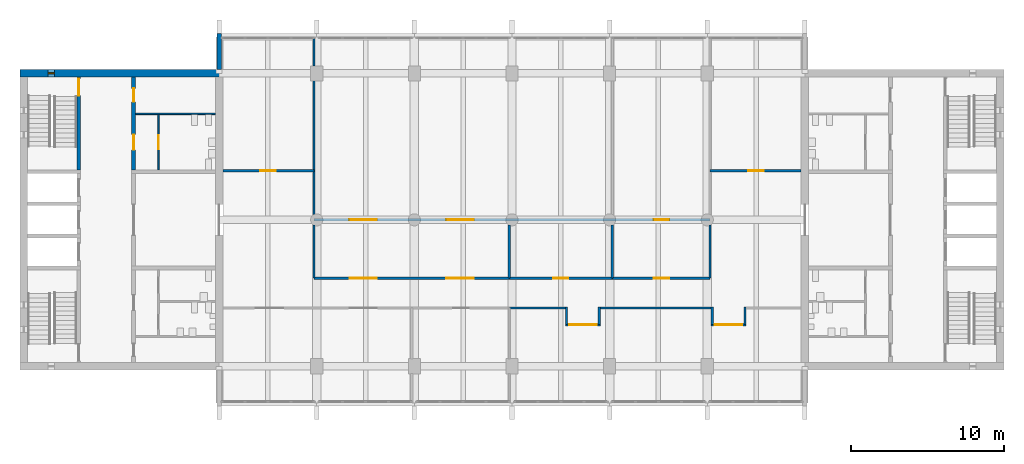
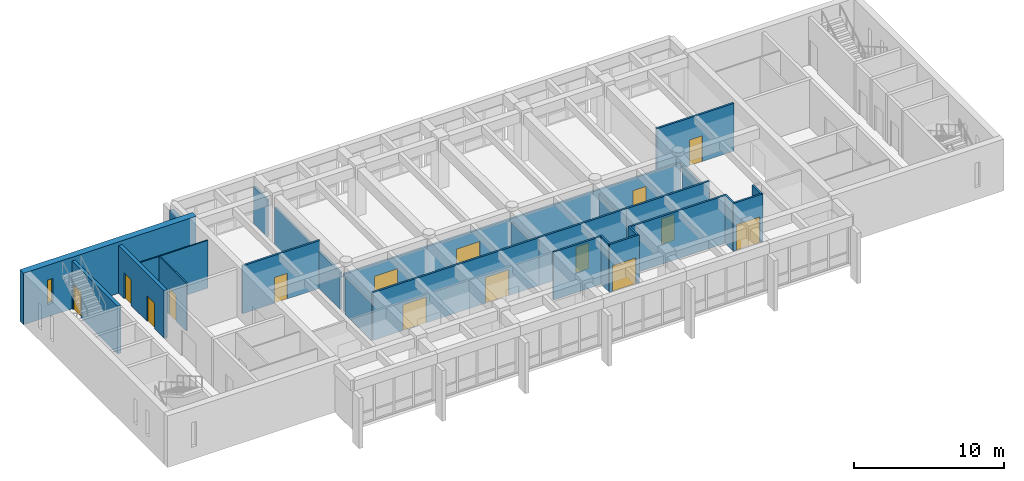
# One storey, part 10 of 15: 26 walls, 15 doors, 1 window, 16 openings.
"""IFC4 building model written with IfcOpenShell, lengths in metres."""

import ifcopenshell
import ifcopenshell.guid

model = None  # the IFC model being written
_history = None  # IfcOwnerHistory: only IFC2X3 demands one
_inside = {}  # id of a spatial element -> (the spatial element, [elements in it])
_under = {}  # id of a project, library or spatial element -> (it, [spatial elements below it])
_declared = {}  # id of a project -> (the project, [libraries it declares])
_typed = {}  # id of a type object -> (the type object, [elements of that type])
_made_of = {}  # id of a material, layer set ... -> (it, [elements and type objects made of it])


def new_model(schema):
    """Start an empty IFC model of exactly this schema.

    Asked for "IFC4X3", IfcOpenShell would pick the latest addendum, in which some entities
    have other attributes; the version numbers below select the first issue.
    IFC2X3 requires an IfcOwnerHistory on every rooted entity: one is made here for all.
    """
    global model, _history
    if schema == "IFC4X3":
        model = ifcopenshell.file(schema_version=(4, 3, 0, 0))
    else:
        model = ifcopenshell.file(schema=schema)
    _inside.clear()
    _under.clear()
    _declared.clear()
    _typed.clear()
    _made_of.clear()
    _history = None
    if model.schema == "IFC2X3":
        org = make("IfcOrganization", Name="unknown")
        user = make(
            "IfcPersonAndOrganization",
            ThePerson=make("IfcPerson", FamilyName="unknown"),
            TheOrganization=org,
        )
        app = make(
            "IfcApplication",
            ApplicationDeveloper=org,
            Version="unknown",
            ApplicationFullName="unknown",
            ApplicationIdentifier="unknown",
        )
        _history = make(
            "IfcOwnerHistory",
            OwningUser=user,
            OwningApplication=app,
            ChangeAction="ADDED",
            CreationDate=0,
        )
    return model


def make(cls, **values):
    """One entity of the class cls with the attributes given. An attribute that is None is left unset."""
    return model.create_entity(
        cls, **{name: value for name, value in values.items() if value is not None}
    )


def rooted(cls, **values):
    """An entity with a GlobalId (a new one), such as an element, a storey or a relation."""
    return make(cls, GlobalId=ifcopenshell.guid.new(), OwnerHistory=_history, **values)


def si_unit(unit_type, name, prefix=None):
    """IfcSIUnit, for example si_unit("LENGTHUNIT", "METRE", prefix="MILLI")."""
    return make("IfcSIUnit", UnitType=unit_type, Prefix=prefix, Name=name)


def assignment(units):
    """IfcUnitAssignment: the units of a project."""
    return None if units is None else make("IfcUnitAssignment", Units=units)


def point(xyz):
    """IfcCartesianPoint."""
    return None if xyz is None else make("IfcCartesianPoint", Coordinates=xyz)


def direction(xyz):
    """IfcDirection."""
    return None if xyz is None else make("IfcDirection", DirectionRatios=xyz)


def frame(location, z_axis=None, x_axis=None):
    """IfcAxis2Placement3D, a coordinate frame: its origin and axes. An axis left out is left unset."""
    return make(
        "IfcAxis2Placement3D",
        Location=point(location),
        Axis=direction(z_axis),
        RefDirection=direction(x_axis),
    )


def frame_2d(location, x_axis=None):
    """IfcAxis2Placement2D, a coordinate frame in the plane: its origin and x axis."""
    return make(
        "IfcAxis2Placement2D", Location=point(location), RefDirection=direction(x_axis)
    )


def origin():
    """The frame at (0, 0, 0) with its axes left unset."""
    return frame((0.0, 0.0, 0.0))


def place(relative_to, where):
    """IfcLocalPlacement: puts the frame where relative to a parent placement (None: the world)."""
    return make(
        "IfcLocalPlacement", PlacementRelTo=relative_to, RelativePlacement=where
    )


def context(
    kind, dimensions, precision=None, world=None, true_north=None, identifier=None
):
    """IfcGeometricRepresentationContext, for example the 3D "Model" context."""
    return make(
        "IfcGeometricRepresentationContext",
        ContextIdentifier=identifier,
        ContextType=kind,
        CoordinateSpaceDimension=dimensions,
        Precision=precision,
        WorldCoordinateSystem=world,
        TrueNorth=true_north,
    )


def subcontext(parent, identifier, kind, view, scale=None):
    """IfcGeometricRepresentationSubContext, for example "Body" below "Model"."""
    return make(
        "IfcGeometricRepresentationSubContext",
        ContextIdentifier=identifier,
        ContextType=kind,
        ParentContext=parent,
        TargetScale=scale,
        TargetView=view,
    )


def project(units=None, contexts=None):
    """IfcProject with its units and contexts."""
    return rooted(
        "IfcProject",
        Name="project",
        RepresentationContexts=contexts,
        UnitsInContext=assignment(units),
    )


def spatial(cls, under=None, at=None, **own):
    """A site, building, storey or space (cls), placed at a placement, below another one or the project."""
    s = rooted(cls, ObjectPlacement=at, **own)
    if under is not None:
        _under.setdefault(under.id(), (under, []))[1].append(s)
    return s


def profile(cls, at=None, kind="AREA", **sizes):
    """A parametric profile (cls). Its sizes go by their IFC names, for example OverallWidth=200.0."""
    return make(cls, ProfileType=kind, Position=at, **sizes)


def rectangle(**sizes):
    """IfcRectangleProfileDef."""
    return profile("IfcRectangleProfileDef", **sizes)


def extrude(swept, where, along, depth):
    """IfcExtrudedAreaSolid: the profile swept, set in the frame where, extruded along a direction by depth."""
    return make(
        "IfcExtrudedAreaSolid",
        SweptArea=swept,
        Position=where,
        ExtrudedDirection=direction(along),
        Depth=depth,
    )


def shape(context_of_items, identifier, shape_type, items):
    """IfcShapeRepresentation: the items that make up one representation, for example the "Body"."""
    return make(
        "IfcShapeRepresentation",
        ContextOfItems=context_of_items,
        RepresentationIdentifier=identifier,
        RepresentationType=shape_type,
        Items=items,
    )


def material(Name=None, Category=None):
    """IfcMaterial."""
    return make("IfcMaterial", Name=Name, Category=Category)


def layer(
    of_material, thickness, ventilated=None, Name=None, Category=None, Priority=None
):
    """IfcMaterialLayer: one layer of a wall or slab, of a material (None: an air gap)."""
    return make(
        "IfcMaterialLayer",
        Material=of_material,
        LayerThickness=thickness,
        IsVentilated=ventilated,
        Name=Name,
        Category=Category,
        Priority=Priority,
    )


def layer_set(layers, Name=None):
    """IfcMaterialLayerSet."""
    return make("IfcMaterialLayerSet", MaterialLayers=layers, LayerSetName=Name)


def made_of(thing, what):
    """Note that an element or type object is made of a material, layer set ...; save() writes the relation."""
    if what is not None:
        _made_of.setdefault(what.id(), (what, []))[1].append(thing)
    return thing


def type_object(cls, material=None, **own):
    """A type object (cls), such as IfcWallType, which elements share."""
    return made_of(rooted(cls, **own), material)


def element(
    cls,
    number,
    at=None,
    inside=None,
    cuts=None,
    type_object=None,
    material=None,
    context=None,
    identifier="Body",
    shape_type=None,
    held_by="IfcProductDefinitionShape",
    body=None,
    shapes=None,
    **own,
):
    """One element of the class cls, such as IfcWall. Its Tag is "e" and its number.

    at: its placement. inside: the storey or other place that contains it. cuts: it is an
    opening in that element (IfcRelVoidsElement). A single representation is given by context,
    identifier, shape_type and body (its items); several are given by shapes. held_by: the class
    of the entity that holds the representations. save() writes the other relations.
    """
    e = rooted(cls, Tag="e%d" % number, ObjectPlacement=at, **own)
    if body is not None:
        shapes = [shape(context, identifier, shape_type, body)]
    if shapes is not None:
        e.Representation = make(held_by, Representations=shapes)
    if inside is not None:
        _inside.setdefault(inside.id(), (inside, []))[1].append(e)
    if cuts is not None:
        rooted(
            "IfcRelVoidsElement", RelatingBuildingElement=cuts, RelatedOpeningElement=e
        )
    if type_object is not None:
        _typed.setdefault(type_object.id(), (type_object, []))[1].append(e)
    return made_of(e, material)


def fill(opening, filler):
    """IfcRelFillsElement: the door or window that sits in an opening."""
    return rooted(
        "IfcRelFillsElement",
        RelatingOpeningElement=opening,
        RelatedBuildingElement=filler,
    )


def aggregate(whole, parts):
    """IfcRelAggregates: a whole, such as a stair, and the parts it consists of."""
    return rooted("IfcRelAggregates", RelatingObject=whole, RelatedObjects=parts)


def save(model, path):
    """Write the relations noted so far, then the file.

    IfcRelAggregates (storeys below a building ...), IfcRelContainedInSpatialStructure (elements
    in a storey), IfcRelDefinesByType, IfcRelAssociatesMaterial and IfcRelDeclares: one each for
    every whole, place, type object, material and project.
    """
    for whole, parts in _under.values():
        aggregate(whole, parts)
    for where, things in _inside.values():
        rooted(
            "IfcRelContainedInSpatialStructure",
            RelatedElements=things,
            RelatingStructure=where,
        )
    for kind, things in _typed.values():
        rooted("IfcRelDefinesByType", RelatedObjects=things, RelatingType=kind)
    for what, things in _made_of.values():
        rooted("IfcRelAssociatesMaterial", RelatedObjects=things, RelatingMaterial=what)
    for by, libraries in _declared.values():
        rooted("IfcRelDeclares", RelatingContext=by, RelatedDefinitions=libraries)
    model.write(path)


model = new_model("IFC4")

# Units and contexts
model_context = context("Model", 3, precision=1e-05, world=origin(), true_north=direction((0.0, 1.0)))
body_context = subcontext(model_context, "Body", "Model", "MODEL_VIEW")
ifc_project = project(units=[si_unit("LENGTHUNIT", "METRE"), si_unit("AREAUNIT", "SQUARE_METRE"), si_unit("VOLUMEUNIT", "CUBIC_METRE"), si_unit("PLANEANGLEUNIT", "RADIAN"), si_unit("MASSUNIT", "GRAM", prefix="KILO")], contexts=[model_context])

# Site, building, storey
site_placement = place(None, origin())
site = spatial("IfcSite", under=ifc_project, at=site_placement, CompositionType="ELEMENT")
building_placement = place(site_placement, origin())
building = spatial("IfcBuilding", under=site, at=building_placement, Name="Fogon Plaza Fire Station and Headquarters Tower", CompositionType="ELEMENT")
storey_placement = place(building_placement, frame((0.0, 0.0, 60.0)))
storey = spatial("IfcBuildingStorey", under=building, at=storey_placement, Name="L15", CompositionType="ELEMENT", Elevation=60.0)

# Wall, opening, door
ifc_material_1 = material(Name="Concrete C40", Category="concrete")
ifc_layer_1 = layer(ifc_material_1, 0.25)
ifc_layer_set_1 = layer_set([ifc_layer_1], Name="Concrete C40")
wall_type_1 = type_object("IfcWallType", Name="Core Wall RC 250", PredefinedType="SOLIDWALL", material=ifc_layer_set_1)
wall_1_placement = place(storey_placement, frame((16.39990234375, 46.47509765625, 0.0), z_axis=(0.0, 0.0, 1.0), x_axis=(0.0, 1.0, 0.0)))
wall_1 = element("IfcWall", 1, at=wall_1_placement, inside=storey, type_object=wall_type_1, Name="Core A shaft wall", PredefinedType="SOLIDWALL", context=body_context, shape_type="SweptSolid", body=[
    extrude(rectangle(XDim=6.074951171875, YDim=0.25, at=frame_2d((3.03759765625, 0.0))), origin(), (0.0, 0.0, 1.0), 3.89990234375),
])
opening_1_placement = place(wall_1_placement, frame((4.875, 0.0, 0.0)))
opening_1 = element("IfcOpeningElement", 2, at=opening_1_placement, cuts=wall_1, Name="Opening L15-D02", PredefinedType="OPENING", context=body_context, shape_type="SweptSolid", body=[
    extrude(rectangle(XDim=1.10009765625, YDim=2.10009765625, at=frame_2d((0.550048828125, 1.050048828125))), frame((0.0, 0.135009765625, 0.0), z_axis=(0.0, -1.0, 0.0), x_axis=(1.0, 0.0, 0.0)), (0.0, 0.0, 1.0), 0.27001953125),
])
ifc_material_2 = material(Name="Steel Fire Door Leaf", Category="steel")
door_type_1 = type_object("IfcDoorType", Name="Stair Door Single 1100x2100", OperationType="SINGLE_SWING_LEFT", PredefinedType="DOOR", material=ifc_material_2)
door_1_placement = place(opening_1_placement, origin())
door_1 = element("IfcDoor", 3, at=door_1_placement, inside=storey, type_object=door_type_1, Name="Stair door ST2", OperationType="SINGLE_SWING_RIGHT", OverallHeight=2.10009765625, OverallWidth=1.10009765625, PredefinedType="DOOR", context=body_context, shape_type="SweptSolid", body=[
    extrude(rectangle(XDim=1.10009765625, YDim=2.10009765625, at=frame_2d((0.550048828125, 1.050048828125))), frame((0.0, 0.02490234375, 0.0), z_axis=(0.0, -1.0, 0.0), x_axis=(1.0, 0.0, 0.0)), (0.0, 0.0, 1.0), 0.050048828125),
])
fill(opening_1, door_1)

# Wall, openings, doors
wall_2_placement = place(storey_placement, frame((20.0, 46.47509765625, 0.0), z_axis=(0.0, 0.0, 1.0), x_axis=(0.0, 1.0, 0.0)))
wall_2 = element("IfcWall", 4, at=wall_2_placement, inside=storey, type_object=wall_type_1, Name="Core A shaft wall", PredefinedType="SOLIDWALL", context=body_context, shape_type="SweptSolid", body=[
    extrude(rectangle(XDim=6.074951171875, YDim=0.25, at=frame_2d((3.03759765625, 0.0))), origin(), (0.0, 0.0, 1.0), 3.89990234375),
])
opening_2_placement = place(wall_2_placement, frame((1.3125, 0.0, 0.0)))
opening_2 = element("IfcOpeningElement", 5, at=opening_2_placement, cuts=wall_2, Name="Opening L15-D12", PredefinedType="OPENING", context=body_context, shape_type="SweptSolid", body=[
    extrude(rectangle(XDim=1.0, YDim=2.10009765625, at=frame_2d((0.5, 1.050048828125))), frame((0.0, 0.135009765625, 0.0), z_axis=(0.0, -1.0, 0.0), x_axis=(1.0, 0.0, 0.0)), (0.0, 0.0, 1.0), 0.27001953125),
])
opening_3_placement = place(wall_2_placement, frame((4.449951171875, 0.0, 0.0)))
opening_3 = element("IfcOpeningElement", 6, at=opening_3_placement, cuts=wall_2, Name="Opening L15-D14", PredefinedType="OPENING", context=body_context, shape_type="SweptSolid", body=[
    extrude(rectangle(XDim=0.89990234375, YDim=2.10009765625, at=frame_2d((0.449951171875, 1.050048828125))), frame((0.0, 0.135009765625, 0.0), z_axis=(0.0, -1.0, 0.0), x_axis=(1.0, 0.0, 0.0)), (0.0, 0.0, 1.0), 0.27001953125),
])
ifc_material_3 = material(Name="Steel Fire Door Leaf", Category="steel")
door_type_2 = type_object("IfcDoorType", Name="Riser Single 900x2100", OperationType="SINGLE_SWING_LEFT", PredefinedType="DOOR", material=ifc_material_3)
door_2_placement = place(opening_3_placement, frame((0.89990234375, 0.0, 0.0), z_axis=(0.0, 0.0, 1.0), x_axis=(-1.0, 0.0, 0.0)))
door_2 = element("IfcDoor", 7, at=door_2_placement, inside=storey, type_object=door_type_2, Name="Riser room A door", OperationType="SINGLE_SWING_LEFT", OverallHeight=2.10009765625, OverallWidth=0.89990234375, PredefinedType="DOOR", context=body_context, shape_type="SweptSolid", body=[
    extrude(rectangle(XDim=0.89990234375, YDim=2.10009765625, at=frame_2d((0.449951171875, 1.050048828125))), frame((0.0, 0.02490234375, 0.0), z_axis=(0.0, -1.0, 0.0), x_axis=(1.0, 0.0, 0.0)), (0.0, 0.0, 1.0), 0.050048828125),
])
fill(opening_3, door_2)
ifc_material_4 = material(Name="Timber fire door", Category="wood")
door_type_3 = type_object("IfcDoorType", Name="WC Lobby Single 1000x2100", OperationType="SINGLE_SWING_LEFT", PredefinedType="DOOR", material=ifc_material_4)
door_3_placement = place(opening_2_placement, frame((1.0, 0.0, 0.0), z_axis=(0.0, 0.0, 1.0), x_axis=(-1.0, 0.0, 0.0)))
door_3 = element("IfcDoor", 8, at=door_3_placement, inside=storey, type_object=door_type_3, Name="Women's WC lobby A door", OperationType="SINGLE_SWING_LEFT", OverallHeight=2.10009765625, OverallWidth=1.0, PredefinedType="DOOR", context=body_context, shape_type="SweptSolid", body=[
    extrude(rectangle(XDim=1.0, YDim=2.10009765625, at=frame_2d((0.5, 1.050048828125))), frame((0.0, 0.02490234375, 0.0), z_axis=(0.0, -1.0, 0.0), x_axis=(1.0, 0.0, 0.0)), (0.0, 0.0, 1.0), 0.050048828125),
])
fill(opening_2, door_3)

# Wall
ifc_material_5 = material(Name="Concrete C40", Category="concrete")
ifc_layer_2 = layer(ifc_material_5, 0.300048828125)
ifc_layer_set_2 = layer_set([ifc_layer_2], Name="Concrete C40")
wall_type_2 = type_object("IfcWallType", Name="Fair-faced RC Return Panel 300", PredefinedType="SOLIDWALL", material=ifc_layer_set_2)
wall_3_placement = place(storey_placement, frame((25.60009765625, 53.050048828125, 0.0), z_axis=(0.0, 0.0, 1.0), x_axis=(0.0, 1.0, 0.0)))
element("IfcWall", 9, at=wall_3_placement, inside=storey, type_object=wall_type_2, Name="Bar end return WN L15", PredefinedType="SOLIDWALL", context=body_context, shape_type="SweptSolid", body=[
    extrude(rectangle(XDim=2.349853515625, YDim=0.300048828125, at=frame_2d((1.1748046875, 0.0))), origin(), (0.0, 0.0, 1.0), 3.10009765625),
])

# Wall, opening, door
ifc_material_6 = material(Name="Blockwork", Category="masonry")
ifc_layer_3 = layer(ifc_material_6, 0.10009765625)
ifc_layer_set_3 = layer_set([ifc_layer_3], Name="Blockwork")
wall_type_3 = type_object("IfcWallType", Name="Partition Blockwork 100", PredefinedType="PARTITIONING", material=ifc_layer_set_3)
wall_4_placement = place(storey_placement, frame((21.625, 46.47509765625, 0.0), z_axis=(0.0, 0.0, 1.0), x_axis=(0.0, 1.0, 0.0)))
wall_4 = element("IfcWall", 10, at=wall_4_placement, inside=storey, type_object=wall_type_3, Name="WC block partition", PredefinedType="PARTITIONING", context=body_context, shape_type="SweptSolid", body=[
    extrude(rectangle(XDim=3.625, YDim=0.10009765625, at=frame_2d((1.8125, 0.0))), origin(), (0.0, 0.0, 1.0), 3.89990234375),
])
opening_4_placement = place(wall_4_placement, frame((1.362548828125, 0.0, 0.0)))
opening_4 = element("IfcOpeningElement", 11, at=opening_4_placement, cuts=wall_4, Name="Opening L15-D13", PredefinedType="OPENING", context=body_context, shape_type="SweptSolid", body=[
    extrude(rectangle(XDim=0.89990234375, YDim=2.10009765625, at=frame_2d((0.449951171875, 1.050048828125))), frame((0.0, 0.06005859375, 0.0), z_axis=(0.0, -1.0, 0.0), x_axis=(1.0, 0.0, 0.0)), (0.0, 0.0, 1.0), 0.1201171875),
])
ifc_material_7 = material(Name="Timber Door Leaf", Category="wood")
door_type_4 = type_object("IfcDoorType", Name="WC Single 900x2100", OperationType="SINGLE_SWING_LEFT", PredefinedType="DOOR", material=ifc_material_7)
door_4_placement = place(opening_4_placement, frame((0.89990234375, 0.0, 0.0), z_axis=(0.0, 0.0, 1.0), x_axis=(-1.0, 0.0, 0.0)))
door_4 = element("IfcDoor", 12, at=door_4_placement, inside=storey, type_object=door_type_4, Name="Women's WC A door", OperationType="SINGLE_SWING_RIGHT", OverallHeight=2.10009765625, OverallWidth=0.89990234375, PredefinedType="DOOR", context=body_context, shape_type="SweptSolid", body=[
    extrude(rectangle(XDim=0.89990234375, YDim=2.10009765625, at=frame_2d((0.449951171875, 1.050048828125))), frame((0.0, 0.02490234375, 0.0), z_axis=(0.0, -1.0, 0.0), x_axis=(1.0, 0.0, 0.0)), (0.0, 0.0, 1.0), 0.050048828125),
])
fill(opening_4, door_4)

# Wall
ifc_material_8 = material(Name="Blockwork", Category="masonry")
ifc_layer_4 = layer(ifc_material_8, 0.10009765625)
ifc_layer_set_4 = layer_set([ifc_layer_4], Name="Blockwork")
wall_type_4 = type_object("IfcWallType", Name="Riser Partition Blockwork 100", PredefinedType="PARTITIONING", material=ifc_layer_set_4)
wall_5_placement = place(storey_placement, frame((20.125, 50.14990234375, 0.0), z_axis=(0.0, 0.0, 1.0), x_axis=(1.0, 0.0, 0.0)))
element("IfcWall", 13, at=wall_5_placement, inside=storey, type_object=wall_type_4, Name="Riser room partition", PredefinedType="PARTITIONING", context=body_context, shape_type="SweptSolid", body=[
    extrude(rectangle(XDim=5.22509765625, YDim=0.10009765625, at=frame_2d((2.612548828125, 0.0))), origin(), (0.0, 0.0, 1.0), 3.89990234375),
])

# Wall, opening, window
ifc_material_9 = material(Name="Concrete C40", Category="concrete")
ifc_layer_5 = layer(ifc_material_9, 0.5)
ifc_layer_set_5 = layer_set([ifc_layer_5], Name="Concrete C40")
wall_type_5 = type_object("IfcWallType", Name="Shear wall 500 SW50", PredefinedType="SHEAR", material=ifc_layer_set_5)
wall_6_placement = place(storey_placement, frame((12.550048828125, 52.800048828125, 0.0), z_axis=(0.0, 0.0, 1.0), x_axis=(1.0, 0.0, 0.0)))
wall_6 = element("IfcWall", 14, at=wall_6_placement, inside=storey, type_object=wall_type_5, Name="wall-coreA-N-L15", PredefinedType="SHEAR", context=body_context, shape_type="SweptSolid", body=[
    extrude(rectangle(XDim=13.300048828125, YDim=0.5, at=frame_2d((6.64990234375, 0.0))), origin(), (0.0, 0.0, 1.0), 4.199951171875),
])
opening_5_placement = place(wall_6_placement, frame((1.85009765625, 0.0, 1.0)))
opening_5 = element("IfcOpeningElement", 15, at=opening_5_placement, cuts=wall_6, Name="Opening WS1", PredefinedType="OPENING", context=body_context, shape_type="SweptSolid", body=[
    extrude(rectangle(XDim=0.39990234375, YDim=2.0, at=frame_2d((0.199951171875, 1.0))), frame((0.0, 0.260009765625, 0.0), z_axis=(0.0, -1.0, 0.0), x_axis=(1.0, 0.0, 0.0)), (0.0, 0.0, 1.0), 0.52001953125),
])
ifc_material_10 = material(Name="Aluminium framed double glazing", Category="aluminium")
window_type = type_object("IfcWindowType", Name="Slit Window WS1 400x2000", PartitioningType="SINGLE_PANEL", PredefinedType="WINDOW", material=ifc_material_10)
window_placement = place(opening_5_placement, origin())
window = element("IfcWindow", 16, at=window_placement, inside=storey, type_object=window_type, Name="Slit window A6 L15", OverallHeight=2.0, OverallWidth=0.39990234375, PartitioningType="SINGLE_PANEL", PredefinedType="WINDOW", context=body_context, shape_type="SweptSolid", body=[
    extrude(rectangle(XDim=0.39990234375, YDim=2.0, at=frame_2d((0.199951171875, 1.0))), frame((0.0, 0.030029296875, 0.0), z_axis=(0.0, -1.0, 0.0), x_axis=(1.0, 0.0, 0.0)), (0.0, 0.0, 1.0), 0.06005859375),
])
fill(opening_5, window)

# Wall
ifc_material_11 = material(Name="Gypsum board on steel stud", Category="steel")
ifc_layer_6 = layer(ifc_material_11, 0.14990234375)
ifc_layer_set_6 = layer_set([ifc_layer_6], Name="Gypsum board on steel stud")
wall_type_6 = type_object("IfcWallType", Name="Tower corridor partition 150 EI 60", PredefinedType="PARTITIONING", material=ifc_layer_set_6)
wall_7_placement = place(storey_placement, frame((44.6201171875, 37.425048828125, 0.0), z_axis=(0.0, 0.0, 1.0), x_axis=(1.0, 0.0, 0.0)))
element("IfcWall", 17, at=wall_7_placement, inside=storey, type_object=wall_type_6, Name="part-L15-03", PredefinedType="PARTITIONING", context=body_context, shape_type="SweptSolid", body=[
    extrude(rectangle(XDim=3.7548828125, YDim=0.14990234375, at=frame_2d((1.87744140625, 0.0))), origin(), (0.0, 0.0, 1.0), 3.89990234375),
])

# Wall, openings, doors
wall_8_placement = place(storey_placement, frame((31.820068359375, 39.375, 0.0), z_axis=(0.0, 0.0, 1.0), x_axis=(1.0, 0.0, 0.0)))
wall_8 = element("IfcWall", 18, at=wall_8_placement, inside=storey, type_object=wall_type_6, Name="part-L15-08", PredefinedType="PARTITIONING", context=body_context, shape_type="SweptSolid", body=[
    extrude(rectangle(XDim=12.800048828125, YDim=0.14990234375, at=frame_2d((6.39990234375, 0.0))), origin(), (0.0, 0.0, 1.0), 3.89990234375),
])
opening_6_placement = place(wall_8_placement, frame((2.330078125, 0.0, 0.0)))
opening_6 = element("IfcOpeningElement", 19, at=opening_6_placement, cuts=wall_8, Name="Opening L15-D34", PredefinedType="OPENING", context=body_context, shape_type="SweptSolid", body=[
    extrude(rectangle(XDim=1.800048828125, YDim=2.10009765625, at=frame_2d((0.89990234375, 1.050048828125))), frame((0.0, 0.0849609375, 0.0), z_axis=(0.0, -1.0, 0.0), x_axis=(1.0, 0.0, 0.0)), (0.0, 0.0, 1.0), 0.169921875),
])
opening_7_placement = place(wall_8_placement, frame((8.679931640625, 0.0, 0.0)))
opening_7 = element("IfcOpeningElement", 20, at=opening_7_placement, cuts=wall_8, Name="Opening L15-D35", PredefinedType="OPENING", context=body_context, shape_type="SweptSolid", body=[
    extrude(rectangle(XDim=1.800048828125, YDim=2.10009765625, at=frame_2d((0.89990234375, 1.050048828125))), frame((0.0, 0.0849609375, 0.0), z_axis=(0.0, -1.0, 0.0), x_axis=(1.0, 0.0, 0.0)), (0.0, 0.0, 1.0), 0.169921875),
])
ifc_material_12 = material(Name="Timber fire door", Category="wood")
door_type_5 = type_object("IfcDoorType", Name="Tower fire door double 1800 EI 20", OperationType="DOUBLE_DOOR_SINGLE_SWING", PredefinedType="DOOR", material=ifc_material_12)
door_5_placement = place(opening_6_placement, origin())
door_5 = element("IfcDoor", 21, at=door_5_placement, inside=storey, type_object=door_type_5, Name="door-L15-06", OperationType="DOUBLE_DOOR_SINGLE_SWING", OverallHeight=2.10009765625, OverallWidth=1.800048828125, PredefinedType="DOOR", context=body_context, shape_type="SweptSolid", body=[
    extrude(rectangle(XDim=1.800048828125, YDim=2.10009765625, at=frame_2d((0.89990234375, 1.050048828125))), frame((0.0, 0.02490234375, 0.0), z_axis=(0.0, -1.0, 0.0), x_axis=(1.0, 0.0, 0.0)), (0.0, 0.0, 1.0), 0.050048828125),
])
fill(opening_6, door_5)
door_6_placement = place(opening_7_placement, origin())
door_6 = element("IfcDoor", 22, at=door_6_placement, inside=storey, type_object=door_type_5, Name="door-L15-07", OperationType="DOUBLE_DOOR_SINGLE_SWING", OverallHeight=2.10009765625, OverallWidth=1.800048828125, PredefinedType="DOOR", context=body_context, shape_type="SweptSolid", body=[
    extrude(rectangle(XDim=1.800048828125, YDim=2.10009765625, at=frame_2d((0.89990234375, 1.050048828125))), frame((0.0, 0.02490234375, 0.0), z_axis=(0.0, -1.0, 0.0), x_axis=(1.0, 0.0, 0.0)), (0.0, 0.0, 1.0), 0.050048828125),
])
fill(opening_7, door_6)

# Wall, opening, door
wall_9_placement = place(storey_placement, frame((44.6201171875, 39.375, 0.0), z_axis=(0.0, 0.0, 1.0), x_axis=(1.0, 0.0, 0.0)))
wall_9 = element("IfcWall", 23, at=wall_9_placement, inside=storey, type_object=wall_type_6, Name="part-L15-09", PredefinedType="PARTITIONING", context=body_context, shape_type="SweptSolid", body=[
    extrude(rectangle(XDim=6.759765625, YDim=0.14990234375, at=frame_2d((3.3798828125, 0.0))), origin(), (0.0, 0.0, 1.0), 3.89990234375),
])
opening_8_placement = place(wall_9_placement, frame((2.8798828125, 0.0, 0.0)))
opening_8 = element("IfcOpeningElement", 24, at=opening_8_placement, cuts=wall_9, Name="Opening L15-D36", PredefinedType="OPENING", context=body_context, shape_type="SweptSolid", body=[
    extrude(rectangle(XDim=1.0, YDim=2.10009765625, at=frame_2d((0.5, 1.050048828125))), frame((0.0, 0.0849609375, 0.0), z_axis=(0.0, -1.0, 0.0), x_axis=(1.0, 0.0, 0.0)), (0.0, 0.0, 1.0), 0.169921875),
])
ifc_material_13 = material(Name="Timber fire door", Category="wood")
door_type_6 = type_object("IfcDoorType", Name="Tower fire door single 1000 EI 20", OperationType="SINGLE_SWING_LEFT", PredefinedType="DOOR", material=ifc_material_13)
door_7_placement = place(opening_8_placement, origin())
door_7 = element("IfcDoor", 25, at=door_7_placement, inside=storey, type_object=door_type_6, Name="door-L15-08", OperationType="SINGLE_SWING_LEFT", OverallHeight=2.10009765625, OverallWidth=1.0, PredefinedType="DOOR", context=body_context, shape_type="SweptSolid", body=[
    extrude(rectangle(XDim=1.0, YDim=2.10009765625, at=frame_2d((0.5, 1.050048828125))), frame((0.0, 0.02490234375, 0.0), z_axis=(0.0, -1.0, 0.0), x_axis=(1.0, 0.0, 0.0)), (0.0, 0.0, 1.0), 0.050048828125),
])
fill(opening_8, door_7)

wall_10_placement = place(storey_placement, frame((51.3798828125, 39.375, 0.0), z_axis=(0.0, 0.0, 1.0), x_axis=(1.0, 0.0, 0.0)))
wall_10 = element("IfcWall", 26, at=wall_10_placement, inside=storey, type_object=wall_type_6, Name="part-L15-10", PredefinedType="PARTITIONING", context=body_context, shape_type="SweptSolid", body=[
    extrude(rectangle(XDim=6.400146484375, YDim=0.14990234375, at=frame_2d((3.2001953125, 0.0))), origin(), (0.0, 0.0, 1.0), 3.89990234375),
])
opening_9_placement = place(wall_10_placement, frame((2.719970703125, 0.0, 0.0)))
opening_9 = element("IfcOpeningElement", 27, at=opening_9_placement, cuts=wall_10, Name="Opening L15-D37", PredefinedType="OPENING", context=body_context, shape_type="SweptSolid", body=[
    extrude(rectangle(XDim=1.0, YDim=2.10009765625, at=frame_2d((0.5, 1.050048828125))), frame((0.0, 0.0849609375, 0.0), z_axis=(0.0, -1.0, 0.0), x_axis=(1.0, 0.0, 0.0)), (0.0, 0.0, 1.0), 0.169921875),
])
door_8_placement = place(opening_9_placement, origin())
door_8 = element("IfcDoor", 28, at=door_8_placement, inside=storey, type_object=door_type_6, Name="door-L15-09", OperationType="SINGLE_SWING_RIGHT", OverallHeight=2.10009765625, OverallWidth=1.0, PredefinedType="DOOR", context=body_context, shape_type="SweptSolid", body=[
    extrude(rectangle(XDim=1.0, YDim=2.10009765625, at=frame_2d((0.5, 1.050048828125))), frame((0.0, 0.02490234375, 0.0), z_axis=(0.0, -1.0, 0.0), x_axis=(1.0, 0.0, 0.0)), (0.0, 0.0, 1.0), 0.050048828125),
])
fill(opening_9, door_8)

wall_11_placement = place(storey_placement, frame((25.85009765625, 46.425048828125, 0.0), z_axis=(0.0, 0.0, 1.0), x_axis=(1.0, 0.0, 0.0)))
wall_11 = element("IfcWall", 29, at=wall_11_placement, inside=storey, type_object=wall_type_6, Name="part-L15-16", PredefinedType="PARTITIONING", context=body_context, shape_type="SweptSolid", body=[
    extrude(rectangle(XDim=5.969970703125, YDim=0.14990234375, at=frame_2d((2.98486328125, 0.0))), origin(), (0.0, 0.0, 1.0), 3.89990234375),
])
opening_10_placement = place(wall_11_placement, frame((2.449951171875, 0.0, 0.0)))
opening_10 = element("IfcOpeningElement", 30, at=opening_10_placement, cuts=wall_11, Name="Opening L15-D38", PredefinedType="OPENING", context=body_context, shape_type="SweptSolid", body=[
    extrude(rectangle(XDim=1.0, YDim=2.10009765625, at=frame_2d((0.5, 1.050048828125))), frame((0.0, 0.0849609375, 0.0), z_axis=(0.0, -1.0, 0.0), x_axis=(1.0, 0.0, 0.0)), (0.0, 0.0, 1.0), 0.169921875),
])
door_9_placement = place(opening_10_placement, origin())
door_9 = element("IfcDoor", 31, at=door_9_placement, inside=storey, type_object=door_type_6, Name="door-L15-10", OperationType="SINGLE_SWING_LEFT", OverallHeight=2.10009765625, OverallWidth=1.0, PredefinedType="DOOR", context=body_context, shape_type="SweptSolid", body=[
    extrude(rectangle(XDim=1.0, YDim=2.10009765625, at=frame_2d((0.5, 1.050048828125))), frame((0.0, 0.02490234375, 0.0), z_axis=(0.0, -1.0, 0.0), x_axis=(1.0, 0.0, 0.0)), (0.0, 0.0, 1.0), 0.050048828125),
])
fill(opening_10, door_9)

wall_12_placement = place(storey_placement, frame((57.780029296875, 46.425048828125, 0.0), z_axis=(0.0, 0.0, 1.0), x_axis=(1.0, 0.0, 0.0)))
wall_12 = element("IfcWall", 32, at=wall_12_placement, inside=storey, type_object=wall_type_6, Name="part-L15-20", PredefinedType="PARTITIONING", context=body_context, shape_type="SweptSolid", body=[
    extrude(rectangle(XDim=5.969970703125, YDim=0.14990234375, at=frame_2d((2.98486328125, 0.0))), origin(), (0.0, 0.0, 1.0), 3.89990234375),
])
opening_11_placement = place(wall_12_placement, frame((2.52001953125, 0.0, 0.0)))
opening_11 = element("IfcOpeningElement", 33, at=opening_11_placement, cuts=wall_12, Name="Opening L15-D39", PredefinedType="OPENING", context=body_context, shape_type="SweptSolid", body=[
    extrude(rectangle(XDim=1.0, YDim=2.10009765625, at=frame_2d((0.5, 1.050048828125))), frame((0.0, 0.0849609375, 0.0), z_axis=(0.0, -1.0, 0.0), x_axis=(1.0, 0.0, 0.0)), (0.0, 0.0, 1.0), 0.169921875),
])
door_10_placement = place(opening_11_placement, origin())
door_10 = element("IfcDoor", 34, at=door_10_placement, inside=storey, type_object=door_type_6, Name="door-L15-11", OperationType="SINGLE_SWING_RIGHT", OverallHeight=2.10009765625, OverallWidth=1.0, PredefinedType="DOOR", context=body_context, shape_type="SweptSolid", body=[
    extrude(rectangle(XDim=1.0, YDim=2.10009765625, at=frame_2d((0.5, 1.050048828125))), frame((0.0, 0.02490234375, 0.0), z_axis=(0.0, -1.0, 0.0), x_axis=(1.0, 0.0, 0.0)), (0.0, 0.0, 1.0), 0.050048828125),
])
fill(opening_11, door_10)

wall_13_placement = place(storey_placement, frame((48.300048828125, 36.324951171875, 0.0), z_axis=(0.0, 0.0, 1.0), x_axis=(1.0, 0.0, 0.0)))
wall_13 = element("IfcWall", 35, at=wall_13_placement, inside=storey, type_object=wall_type_6, Name="part-L15-24", PredefinedType="PARTITIONING", context=body_context, shape_type="SweptSolid", body=[
    extrude(rectangle(XDim=2.300048828125, YDim=0.14990234375, at=frame_2d((1.14990234375, 0.0))), origin(), (0.0, 0.0, 1.0), 3.89990234375),
])
opening_12_placement = place(wall_13_placement, frame((0.25, 0.0, 0.0)))
opening_12 = element("IfcOpeningElement", 36, at=opening_12_placement, cuts=wall_13, Name="Opening L15-D32", PredefinedType="OPENING", context=body_context, shape_type="SweptSolid", body=[
    extrude(rectangle(XDim=1.800048828125, YDim=2.10009765625, at=frame_2d((0.89990234375, 1.050048828125))), frame((0.0, 0.0849609375, 0.0), z_axis=(0.0, -1.0, 0.0), x_axis=(1.0, 0.0, 0.0)), (0.0, 0.0, 1.0), 0.169921875),
])
door_11_placement = place(opening_12_placement, origin())
door_11 = element("IfcDoor", 37, at=door_11_placement, inside=storey, type_object=door_type_5, Name="door-L15-04", OperationType="DOUBLE_DOOR_SINGLE_SWING", OverallHeight=2.10009765625, OverallWidth=1.800048828125, PredefinedType="DOOR", context=body_context, shape_type="SweptSolid", body=[
    extrude(rectangle(XDim=1.800048828125, YDim=2.10009765625, at=frame_2d((0.89990234375, 1.050048828125))), frame((0.0, 0.02490234375, 0.0), z_axis=(0.0, -1.0, 0.0), x_axis=(1.0, 0.0, 0.0)), (0.0, 0.0, 1.0), 0.050048828125),
])
fill(opening_12, door_11)

# Walls
for number, where, z_axis, x_axis, name in (
    (38, (48.375, 37.5, 0.0), (0.0, 0.0, 1.0), (0.0, -1.0, 0.0), "part-L15-25"),
    (39, (50.52490234375, 37.5, 0.0), (0.0, 0.0, 1.0), (0.0, -1.0, 0.0), "part-L15-26"),
):
    element("IfcWall", number, at=place(storey_placement, frame(where, z_axis=z_axis, x_axis=x_axis)), inside=storey, type_object=wall_type_6, Name=name, PredefinedType="PARTITIONING", context=body_context, shape_type="SweptSolid", body=[
        extrude(rectangle(XDim=1.175048828125, YDim=0.14990234375, at=frame_2d((0.58740234375, 0.0))), origin(), (0.0, 0.0, 1.0), 3.89990234375),
    ])

# Wall, opening, door
wall_14_placement = place(storey_placement, frame((57.85009765625, 36.324951171875, 0.0), z_axis=(0.0, 0.0, 1.0), x_axis=(1.0, 0.0, 0.0)))
wall_14 = element("IfcWall", 40, at=wall_14_placement, inside=storey, type_object=wall_type_6, Name="part-L15-27", PredefinedType="PARTITIONING", context=body_context, shape_type="SweptSolid", body=[
    extrude(rectangle(XDim=2.2998046875, YDim=0.14990234375, at=frame_2d((1.14990234375, 0.0))), origin(), (0.0, 0.0, 1.0), 3.89990234375),
])
opening_13_placement = place(wall_14_placement, frame((0.25, 0.0, 0.0)))
opening_13 = element("IfcOpeningElement", 41, at=opening_13_placement, cuts=wall_14, Name="Opening L15-D33", PredefinedType="OPENING", context=body_context, shape_type="SweptSolid", body=[
    extrude(rectangle(XDim=1.800048828125, YDim=2.10009765625, at=frame_2d((0.89990234375, 1.050048828125))), frame((0.0, 0.0849609375, 0.0), z_axis=(0.0, -1.0, 0.0), x_axis=(1.0, 0.0, 0.0)), (0.0, 0.0, 1.0), 0.169921875),
])
door_12_placement = place(opening_13_placement, origin())
door_12 = element("IfcDoor", 42, at=door_12_placement, inside=storey, type_object=door_type_5, Name="door-L15-05", OperationType="DOUBLE_DOOR_SINGLE_SWING", OverallHeight=2.10009765625, OverallWidth=1.800048828125, PredefinedType="DOOR", context=body_context, shape_type="SweptSolid", body=[
    extrude(rectangle(XDim=1.800048828125, YDim=2.10009765625, at=frame_2d((0.89990234375, 1.050048828125))), frame((0.0, 0.02490234375, 0.0), z_axis=(0.0, -1.0, 0.0), x_axis=(1.0, 0.0, 0.0)), (0.0, 0.0, 1.0), 0.050048828125),
])
fill(opening_13, door_12)

# Walls
for number, where, z_axis, x_axis, name in (
    (43, (57.925048828125, 37.5, 0.0), (0.0, 0.0, 1.0), (0.0, -1.0, 0.0), "part-L15-28"),
    (44, (60.074951171875, 37.5, 0.0), (0.0, 0.0, 1.0), (0.0, -1.0, 0.0), "part-L15-29"),
):
    element("IfcWall", number, at=place(storey_placement, frame(where, z_axis=z_axis, x_axis=x_axis)), inside=storey, type_object=wall_type_6, Name=name, PredefinedType="PARTITIONING", context=body_context, shape_type="SweptSolid", body=[
        extrude(rectangle(XDim=1.175048828125, YDim=0.14990234375, at=frame_2d((0.58740234375, 0.0))), origin(), (0.0, 0.0, 1.0), 3.89990234375),
    ])
wall_15_placement = place(storey_placement, frame((50.52490234375, 37.425048828125, 0.0), z_axis=(0.0, 0.0, 1.0), x_axis=(1.0, 0.0, 0.0)))
element("IfcWall", 45, at=wall_15_placement, inside=storey, type_object=wall_type_6, Name="part-L15-30", PredefinedType="PARTITIONING", context=body_context, shape_type="SweptSolid", body=[
    extrude(rectangle(XDim=7.400146484375, YDim=0.14990234375, at=frame_2d((3.7001953125, 0.0))), origin(), (0.0, 0.0, 1.0), 3.89990234375),
])

# Wall, openings, doors
ifc_material_14 = material(Name="Gypsum board on steel stud", Category="steel")
ifc_layer_7 = layer(ifc_material_14, 0.14990234375)
ifc_layer_set_7 = layer_set([ifc_layer_7], Name="Gypsum board on steel stud")
wall_type_7 = type_object("IfcWallType", Name="Tower corridor partition 150 EI 60 Beam Head 800", PredefinedType="PARTITIONING", material=ifc_layer_set_7)
wall_16_placement = place(storey_placement, frame((31.820068359375, 43.199951171875, 0.0), z_axis=(0.0, 0.0, 1.0), x_axis=(1.0, 0.0, 0.0)))
wall_16 = element("IfcWall", 46, at=wall_16_placement, inside=storey, type_object=wall_type_7, Name="part-L15-15", PredefinedType="PARTITIONING", context=body_context, shape_type="SweptSolid", body=[
    extrude(rectangle(XDim=25.9599609375, YDim=0.14990234375, at=frame_2d((12.97998046875, 0.0))), origin(), (0.0, 0.0, 1.0), 3.10009765625),
])
opening_14_placement = place(wall_16_placement, frame((2.324951171875, 0.0, 0.0)))
opening_14 = element("IfcOpeningElement", 47, at=opening_14_placement, cuts=wall_16, Name="Opening L15-D40", PredefinedType="OPENING", context=body_context, shape_type="SweptSolid", body=[
    extrude(rectangle(XDim=1.800048828125, YDim=2.10009765625, at=frame_2d((0.89990234375, 1.050048828125))), frame((0.0, 0.0849609375, 0.0), z_axis=(0.0, -1.0, 0.0), x_axis=(1.0, 0.0, 0.0)), (0.0, 0.0, 1.0), 0.169921875),
])
opening_15_placement = place(wall_16_placement, frame((8.675048828125, 0.0, 0.0)))
opening_15 = element("IfcOpeningElement", 48, at=opening_15_placement, cuts=wall_16, Name="Opening L15-D41", PredefinedType="OPENING", context=body_context, shape_type="SweptSolid", body=[
    extrude(rectangle(XDim=1.800048828125, YDim=2.10009765625, at=frame_2d((0.89990234375, 1.050048828125))), frame((0.0, 0.0849609375, 0.0), z_axis=(0.0, -1.0, 0.0), x_axis=(1.0, 0.0, 0.0)), (0.0, 0.0, 1.0), 0.169921875),
])
opening_16_placement = place(wall_16_placement, frame((22.284912109375, 0.0, 0.0)))
opening_16 = element("IfcOpeningElement", 49, at=opening_16_placement, cuts=wall_16, Name="Opening L15-D42", PredefinedType="OPENING", context=body_context, shape_type="SweptSolid", body=[
    extrude(rectangle(XDim=1.0, YDim=2.10009765625, at=frame_2d((0.5, 1.050048828125))), frame((0.0, 0.0849609375, 0.0), z_axis=(0.0, -1.0, 0.0), x_axis=(1.0, 0.0, 0.0)), (0.0, 0.0, 1.0), 0.169921875),
])
door_13_placement = place(opening_14_placement, frame((1.800048828125, 0.0, 0.0), z_axis=(0.0, 0.0, 1.0), x_axis=(-1.0, 0.0, 0.0)))
door_13 = element("IfcDoor", 50, at=door_13_placement, inside=storey, type_object=door_type_5, Name="door-L15-12", OperationType="DOUBLE_DOOR_SINGLE_SWING", OverallHeight=2.10009765625, OverallWidth=1.800048828125, PredefinedType="DOOR", context=body_context, shape_type="SweptSolid", body=[
    extrude(rectangle(XDim=1.800048828125, YDim=2.10009765625, at=frame_2d((0.89990234375, 1.050048828125))), frame((0.0, 0.02490234375, 0.0), z_axis=(0.0, -1.0, 0.0), x_axis=(1.0, 0.0, 0.0)), (0.0, 0.0, 1.0), 0.050048828125),
])
fill(opening_14, door_13)
door_14_placement = place(opening_15_placement, frame((1.800048828125, 0.0, 0.0), z_axis=(0.0, 0.0, 1.0), x_axis=(-1.0, 0.0, 0.0)))
door_14 = element("IfcDoor", 51, at=door_14_placement, inside=storey, type_object=door_type_5, Name="door-L15-13", OperationType="DOUBLE_DOOR_SINGLE_SWING", OverallHeight=2.10009765625, OverallWidth=1.800048828125, PredefinedType="DOOR", context=body_context, shape_type="SweptSolid", body=[
    extrude(rectangle(XDim=1.800048828125, YDim=2.10009765625, at=frame_2d((0.89990234375, 1.050048828125))), frame((0.0, 0.02490234375, 0.0), z_axis=(0.0, -1.0, 0.0), x_axis=(1.0, 0.0, 0.0)), (0.0, 0.0, 1.0), 0.050048828125),
])
fill(opening_15, door_14)
door_15_placement = place(opening_16_placement, origin())
door_15 = element("IfcDoor", 52, at=door_15_placement, inside=storey, type_object=door_type_6, Name="door-L15-14", OperationType="SINGLE_SWING_RIGHT", OverallHeight=2.10009765625, OverallWidth=1.0, PredefinedType="DOOR", context=body_context, shape_type="SweptSolid", body=[
    extrude(rectangle(XDim=1.0, YDim=2.10009765625, at=frame_2d((0.5, 1.050048828125))), frame((0.0, 0.02490234375, 0.0), z_axis=(0.0, -1.0, 0.0), x_axis=(1.0, 0.0, 0.0)), (0.0, 0.0, 1.0), 0.050048828125),
])
fill(opening_16, door_15)

# Walls
ifc_material_15 = material(Name="Gypsum board on steel stud", Category="steel")
ifc_layer_8 = layer(ifc_material_15, 0.14990234375)
ifc_layer_set_8 = layer_set([ifc_layer_8], Name="Gypsum board on steel stud")
wall_type_8 = type_object("IfcWallType", Name="Tower corridor partition 150 EI 60 Beam Head 900", PredefinedType="PARTITIONING", material=ifc_layer_set_8)
for number, where, z_axis, x_axis, name in (
    (53, (44.6201171875, 39.375, 0.0), (0.0, 0.0, 1.0), (0.0, 1.0, 0.0), "part-L15-11"),
    (54, (51.3798828125, 39.375, 0.0), (0.0, 0.0, 1.0), (0.0, 1.0, 0.0), "part-L15-12"),
    (55, (31.820068359375, 39.375, 0.0), (0.0, 0.0, 1.0), (0.0, 1.0, 0.0), "part-L15-17"),
):
    element("IfcWall", number, at=place(storey_placement, frame(where, z_axis=z_axis, x_axis=x_axis)), inside=storey, type_object=wall_type_8, Name=name, PredefinedType="PARTITIONING", context=body_context, shape_type="SweptSolid", body=[
        extrude(rectangle(XDim=3.48779296875, YDim=0.14990234375, at=frame_2d((1.743896484375, 0.0))), origin(), (0.0, 0.0, 1.0), 3.0),
    ])
wall_17_placement = place(storey_placement, frame((31.820068359375, 43.537109375, 0.0), z_axis=(0.0, 0.0, 1.0), x_axis=(0.0, 1.0, 0.0)))
element("IfcWall", 56, at=wall_17_placement, inside=storey, type_object=wall_type_8, Name="part-L15-18", PredefinedType="PARTITIONING", context=body_context, shape_type="SweptSolid", body=[
    extrude(rectangle(XDim=8.782958984375, YDim=0.14990234375, at=frame_2d((4.3916015625, 0.0))), origin(), (0.0, 0.0, 1.0), 3.0),
])
wall_18_placement = place(storey_placement, frame((31.820068359375, 53.280029296875, 0.0), z_axis=(0.0, 0.0, 1.0), x_axis=(0.0, 1.0, 0.0)))
element("IfcWall", 57, at=wall_18_placement, inside=storey, type_object=wall_type_8, Name="part-L15-19", PredefinedType="PARTITIONING", context=body_context, shape_type="SweptSolid", body=[
    extrude(rectangle(XDim=1.820068359375, YDim=0.14990234375, at=frame_2d((0.91015625, 0.0))), origin(), (0.0, 0.0, 1.0), 3.0),
])
wall_19_placement = place(storey_placement, frame((57.780029296875, 39.375, 0.0), z_axis=(0.0, 0.0, 1.0), x_axis=(0.0, 1.0, 0.0)))
element("IfcWall", 58, at=wall_19_placement, inside=storey, type_object=wall_type_8, Name="part-L15-21", PredefinedType="PARTITIONING", context=body_context, shape_type="SweptSolid", body=[
    extrude(rectangle(XDim=3.48779296875, YDim=0.14990234375, at=frame_2d((1.743896484375, 0.0))), origin(), (0.0, 0.0, 1.0), 3.0),
])

save(model, "model.ifc")
